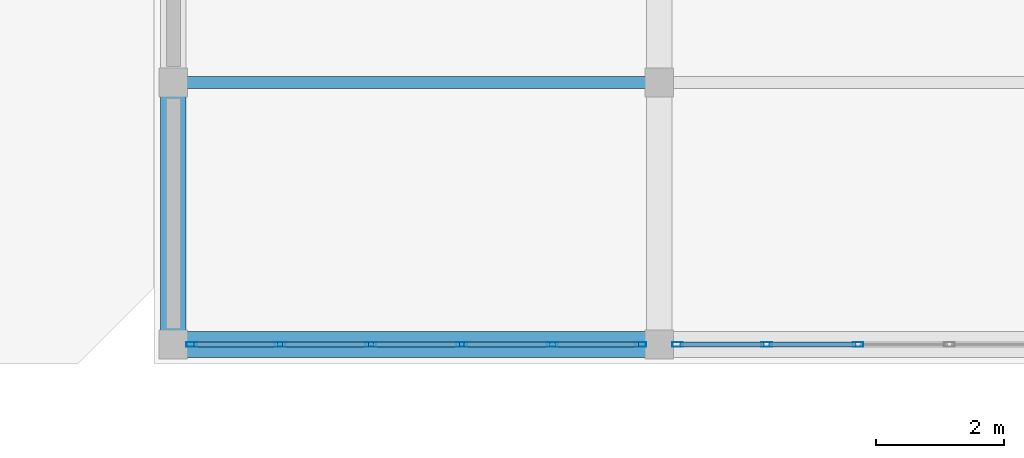
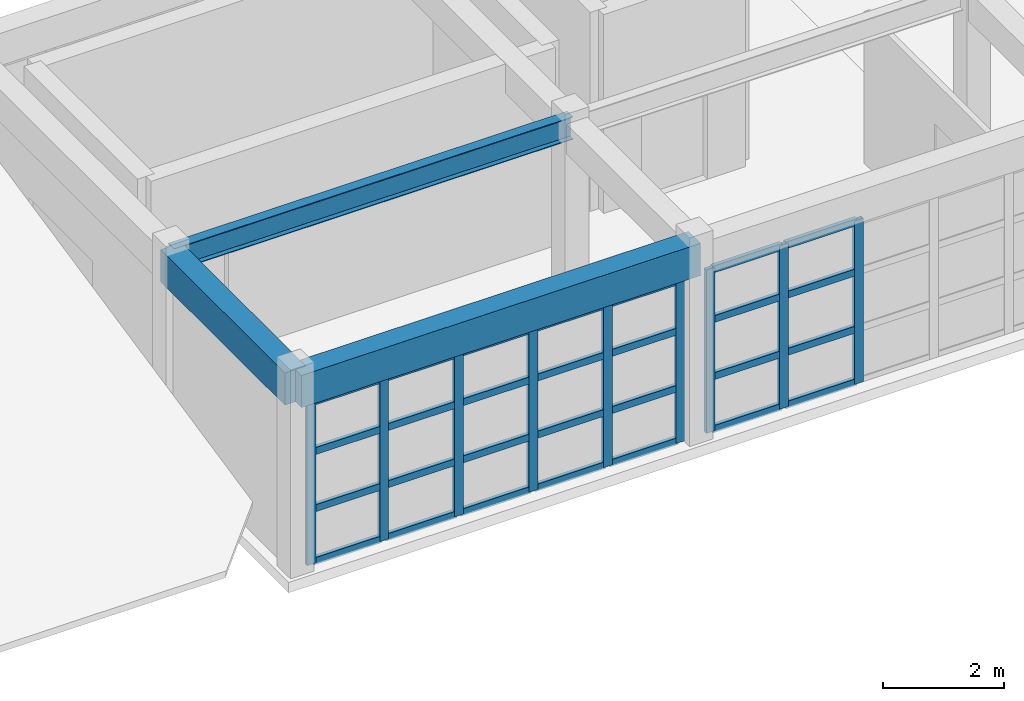
# One storey, part 7 of 52: 37 members, 3 beams, 2 elements without a shape of their own.
"""IFC4 building model written with IfcOpenShell, lengths in metres."""

from ifc_helpers import new_model, si_unit, direction, frame, origin, origin_2d, place, context, subcontext, project, spatial, rectangle, hollow_rectangle, i_section, extrude, material, layer, layer_set, material_profile, profile_set, type_object, element, aggregate, save


model = new_model("IFC4")

# Units and contexts
model_context = context("Model", 3, precision=1e-05, world=origin(), true_north=direction((0.0, 1.0)))
body_context = subcontext(model_context, "Body", "Model", "MODEL_VIEW")
ifc_project = project(units=[si_unit("LENGTHUNIT", "METRE"), si_unit("AREAUNIT", "SQUARE_METRE"), si_unit("VOLUMEUNIT", "CUBIC_METRE"), si_unit("PLANEANGLEUNIT", "RADIAN"), si_unit("MASSUNIT", "GRAM", prefix="KILO")], contexts=[model_context])

# Site, building, storey
site_placement = place(None, origin())
site = spatial("IfcSite", under=ifc_project, at=site_placement, CompositionType="ELEMENT")
building_placement = place(site_placement, origin())
building = spatial("IfcBuilding", under=site, at=building_placement, Name="Candilejo Ridge Gondola Terminal", CompositionType="ELEMENT")
storey_placement = place(building_placement, frame((0.0, 0.0, 18.60009765625)))
storey = spatial("IfcBuildingStorey", under=building, at=storey_placement, Name="L04", CompositionType="ELEMENT", Elevation=18.60009765625)

# Curtain wall, members
ifc_material_1 = material(Name="Anodised aluminium AA 6063-T6", Category="aluminium")
ifc_layer_1 = layer(ifc_material_1, 0.169921875)
ifc_layer_set_1 = layer_set([ifc_layer_1], Name="ARC-CW-GALLERY-3200-710X329")
curtain_wall_type_1 = type_object("IfcCurtainWallType", Name="ARC-CW-GALLERY-3200-710X329", PredefinedType="NOTDEFINED", material=ifc_layer_set_1)
curtain_wall_1_placement = place(storey_placement, origin())
curtain_wall_1 = element("IfcCurtainWall", 1, at=curtain_wall_1_placement, inside=storey, type_object=curtain_wall_type_1, Name="Curtain wall V3 L04-101", PredefinedType="NOTDEFINED")
ifc_material_2 = material(Name="Anodised aluminium AA 6063-T6", Category="aluminium")
ifc_material_profile_1 = material_profile(ifc_material_2, hollow_rectangle(XDim=0.074951171875, YDim=0.169921875, WallThickness=0.00390625, at=origin_2d()))
ifc_profile_set_1 = profile_set([ifc_material_profile_1], Name="Anodised aluminium AA 6063-T6")
member_type_1 = type_object("IfcMemberType", Name="ARC-CW-MULLION", PredefinedType="MULLION", material=ifc_profile_set_1)
member_1_placement = place(storey_placement, frame((94.887451171875, 25.699951171875, 0.0), z_axis=(0.0, 0.0, 1.0), x_axis=(0.0, 1.0, 0.0)))
member_1 = element("IfcMember", 2, at=member_1_placement, type_object=member_type_1, Name="CW-71X32 mullion 1", PredefinedType="MULLION", context=body_context, shape_type="SweptSolid", body=[
    extrude(hollow_rectangle(XDim=0.074951171875, YDim=0.169921875, WallThickness=0.00390625, at=origin_2d()), origin(), (0.0, 0.0, 1.0), 3.289794921875),
])
member_2_placement = place(storey_placement, frame((96.27001953125, 25.699951171875, 0.0), z_axis=(0.0, 0.0, 1.0), x_axis=(0.0, 1.0, 0.0)))
member_2 = element("IfcMember", 3, at=member_2_placement, type_object=member_type_1, Name="CW-71X32 mullion 2", PredefinedType="MULLION", context=body_context, shape_type="SweptSolid", body=[
    extrude(hollow_rectangle(XDim=0.074951171875, YDim=0.169921875, WallThickness=0.00390625, at=origin_2d()), origin(), (0.0, 0.0, 1.0), 3.289794921875),
])
member_3_placement = place(storey_placement, frame((97.68994140625, 25.699951171875, 0.0), z_axis=(0.0, 0.0, 1.0), x_axis=(0.0, 1.0, 0.0)))
member_3 = element("IfcMember", 4, at=member_3_placement, type_object=member_type_1, Name="CW-71X32 mullion 3", PredefinedType="MULLION", context=body_context, shape_type="SweptSolid", body=[
    extrude(hollow_rectangle(XDim=0.074951171875, YDim=0.169921875, WallThickness=0.00390625, at=origin_2d()), origin(), (0.0, 0.0, 1.0), 3.289794921875),
])
member_4_placement = place(storey_placement, frame((99.110107421875, 25.699951171875, 0.0), z_axis=(0.0, 0.0, 1.0), x_axis=(0.0, 1.0, 0.0)))
member_4 = element("IfcMember", 5, at=member_4_placement, type_object=member_type_1, Name="CW-71X32 mullion 4", PredefinedType="MULLION", context=body_context, shape_type="SweptSolid", body=[
    extrude(hollow_rectangle(XDim=0.074951171875, YDim=0.169921875, WallThickness=0.00390625, at=origin_2d()), origin(), (0.0, 0.0, 1.0), 3.289794921875),
])
member_5_placement = place(storey_placement, frame((100.530029296875, 25.699951171875, 0.0), z_axis=(0.0, 0.0, 1.0), x_axis=(0.0, 1.0, 0.0)))
member_5 = element("IfcMember", 6, at=member_5_placement, type_object=member_type_1, Name="CW-71X32 mullion 5", PredefinedType="MULLION", context=body_context, shape_type="SweptSolid", body=[
    extrude(hollow_rectangle(XDim=0.074951171875, YDim=0.169921875, WallThickness=0.00390625, at=origin_2d()), origin(), (0.0, 0.0, 1.0), 3.289794921875),
])
member_6_placement = place(storey_placement, frame((101.91259765625, 25.699951171875, 0.0), z_axis=(0.0, 0.0, 1.0), x_axis=(0.0, 1.0, 0.0)))
member_6 = element("IfcMember", 7, at=member_6_placement, type_object=member_type_1, Name="CW-71X32 mullion 6", PredefinedType="MULLION", context=body_context, shape_type="SweptSolid", body=[
    extrude(hollow_rectangle(XDim=0.074951171875, YDim=0.169921875, WallThickness=0.00390625, at=origin_2d()), origin(), (0.0, 0.0, 1.0), 3.289794921875),
])

ifc_material_3 = material(Name="Anodised aluminium AA 6063-T6", Category="aluminium")
ifc_layer_2 = layer(ifc_material_3, 0.169921875)
ifc_layer_set_2 = layer_set([ifc_layer_2], Name="ARC-CW-GALLERY-3200-715X329")
curtain_wall_type_2 = type_object("IfcCurtainWallType", Name="ARC-CW-GALLERY-3200-715X329", PredefinedType="NOTDEFINED", material=ifc_layer_set_2)
curtain_wall_2_placement = place(storey_placement, origin())
curtain_wall_2 = element("IfcCurtainWall", 8, at=curtain_wall_2_placement, inside=storey, type_object=curtain_wall_type_2, Name="Curtain wall V3 L04-103", PredefinedType="NOTDEFINED")
member_7_placement = place(storey_placement, frame((102.487548828125, 25.699951171875, 0.0), z_axis=(0.0, 0.0, 1.0), x_axis=(0.0, 1.0, 0.0)))
member_7 = element("IfcMember", 9, at=member_7_placement, type_object=member_type_1, Name="CW-71X32 mullion 1", PredefinedType="MULLION", context=body_context, shape_type="SweptSolid", body=[
    extrude(hollow_rectangle(XDim=0.074951171875, YDim=0.169921875, WallThickness=0.00390625, at=origin_2d()), origin(), (0.0, 0.0, 1.0), 3.289794921875),
])
member_8_placement = place(storey_placement, frame((103.8798828125, 25.699951171875, 0.0), z_axis=(0.0, 0.0, 1.0), x_axis=(0.0, 1.0, 0.0)))
member_8 = element("IfcMember", 10, at=member_8_placement, type_object=member_type_1, Name="CW-71X32 mullion 2", PredefinedType="MULLION", context=body_context, shape_type="SweptSolid", body=[
    extrude(hollow_rectangle(XDim=0.074951171875, YDim=0.169921875, WallThickness=0.00390625, at=origin_2d()), origin(), (0.0, 0.0, 1.0), 3.289794921875),
])
member_9_placement = place(storey_placement, frame((105.31005859375, 25.699951171875, 0.0), z_axis=(0.0, 0.0, 1.0), x_axis=(0.0, 1.0, 0.0)))
member_9 = element("IfcMember", 11, at=member_9_placement, type_object=member_type_1, Name="CW-71X32 mullion 3", PredefinedType="MULLION", context=body_context, shape_type="SweptSolid", body=[
    extrude(hollow_rectangle(XDim=0.074951171875, YDim=0.169921875, WallThickness=0.00390625, at=origin_2d()), origin(), (0.0, 0.0, 1.0), 3.289794921875),
])

# Member
ifc_material_4 = material(Name="Anodised aluminium AA 6063-T6", Category="aluminium")
ifc_material_profile_2 = material_profile(ifc_material_4, hollow_rectangle(XDim=0.074951171875, YDim=0.139892578125, WallThickness=0.00390625, at=origin_2d()))
ifc_profile_set_2 = profile_set([ifc_material_profile_2], Name="Anodised aluminium AA 6063-T6")
member_type_2 = type_object("IfcMemberType", Name="ARC-CW-TRANSOM", PredefinedType="USERDEFINED", material=ifc_profile_set_2)
member_10_placement = place(storey_placement, frame((94.925048828125, 25.699951171875, 0.037353515625), z_axis=(1.0, 0.0, 0.0), x_axis=(0.0, 1.0, 0.0)))
member_10 = element("IfcMember", 12, at=member_10_placement, type_object=member_type_2, Name="CW-71X32 transom 1.1", ObjectType="TRANSOM", PredefinedType="USERDEFINED", context=body_context, shape_type="SweptSolid", body=[
    extrude(hollow_rectangle(XDim=0.074951171875, YDim=0.139892578125, WallThickness=0.00390625, at=origin_2d()), origin(), (0.0, 0.0, 1.0), 1.307373046875),
])

member_11_placement = place(storey_placement, frame((94.925048828125, 25.699951171875, 1.099853515625), z_axis=(1.0, 0.0, 0.0), x_axis=(0.0, 1.0, 0.0)))
member_11 = element("IfcMember", 13, at=member_11_placement, type_object=member_type_2, Name="CW-71X32 transom 1.2", ObjectType="TRANSOM", PredefinedType="USERDEFINED", context=body_context, shape_type="SweptSolid", body=[
    extrude(hollow_rectangle(XDim=0.074951171875, YDim=0.139892578125, WallThickness=0.00390625, at=origin_2d()), origin(), (0.0, 0.0, 1.0), 1.307373046875),
])

member_12_placement = place(storey_placement, frame((94.925048828125, 25.699951171875, 2.25), z_axis=(1.0, 0.0, 0.0), x_axis=(0.0, 1.0, 0.0)))
member_12 = element("IfcMember", 14, at=member_12_placement, type_object=member_type_2, Name="CW-71X32 transom 1.3", ObjectType="TRANSOM", PredefinedType="USERDEFINED", context=body_context, shape_type="SweptSolid", body=[
    extrude(hollow_rectangle(XDim=0.074951171875, YDim=0.139892578125, WallThickness=0.00390625, at=origin_2d()), origin(), (0.0, 0.0, 1.0), 1.307373046875),
])

member_13_placement = place(storey_placement, frame((94.925048828125, 25.699951171875, 3.25244140625), z_axis=(1.0, 0.0, 0.0), x_axis=(0.0, 1.0, 0.0)))
member_13 = element("IfcMember", 15, at=member_13_placement, type_object=member_type_2, Name="CW-71X32 transom 1.4", ObjectType="TRANSOM", PredefinedType="USERDEFINED", context=body_context, shape_type="SweptSolid", body=[
    extrude(hollow_rectangle(XDim=0.074951171875, YDim=0.139892578125, WallThickness=0.00390625, at=origin_2d()), origin(), (0.0, 0.0, 1.0), 1.307373046875),
])

member_14_placement = place(storey_placement, frame((96.3076171875, 25.699951171875, 0.037353515625), z_axis=(1.0, 0.0, 0.0), x_axis=(0.0, 1.0, 0.0)))
member_14 = element("IfcMember", 16, at=member_14_placement, type_object=member_type_2, Name="CW-71X32 transom 2.1", ObjectType="TRANSOM", PredefinedType="USERDEFINED", context=body_context, shape_type="SweptSolid", body=[
    extrude(hollow_rectangle(XDim=0.074951171875, YDim=0.139892578125, WallThickness=0.00390625, at=origin_2d()), origin(), (0.0, 0.0, 1.0), 1.344970703125),
])

member_15_placement = place(storey_placement, frame((96.3076171875, 25.699951171875, 1.099853515625), z_axis=(1.0, 0.0, 0.0), x_axis=(0.0, 1.0, 0.0)))
member_15 = element("IfcMember", 17, at=member_15_placement, type_object=member_type_2, Name="CW-71X32 transom 2.2", ObjectType="TRANSOM", PredefinedType="USERDEFINED", context=body_context, shape_type="SweptSolid", body=[
    extrude(hollow_rectangle(XDim=0.074951171875, YDim=0.139892578125, WallThickness=0.00390625, at=origin_2d()), origin(), (0.0, 0.0, 1.0), 1.344970703125),
])

member_16_placement = place(storey_placement, frame((96.3076171875, 25.699951171875, 2.25), z_axis=(1.0, 0.0, 0.0), x_axis=(0.0, 1.0, 0.0)))
member_16 = element("IfcMember", 18, at=member_16_placement, type_object=member_type_2, Name="CW-71X32 transom 2.3", ObjectType="TRANSOM", PredefinedType="USERDEFINED", context=body_context, shape_type="SweptSolid", body=[
    extrude(hollow_rectangle(XDim=0.074951171875, YDim=0.139892578125, WallThickness=0.00390625, at=origin_2d()), origin(), (0.0, 0.0, 1.0), 1.344970703125),
])

member_17_placement = place(storey_placement, frame((96.3076171875, 25.699951171875, 3.25244140625), z_axis=(1.0, 0.0, 0.0), x_axis=(0.0, 1.0, 0.0)))
member_17 = element("IfcMember", 19, at=member_17_placement, type_object=member_type_2, Name="CW-71X32 transom 2.4", ObjectType="TRANSOM", PredefinedType="USERDEFINED", context=body_context, shape_type="SweptSolid", body=[
    extrude(hollow_rectangle(XDim=0.074951171875, YDim=0.139892578125, WallThickness=0.00390625, at=origin_2d()), origin(), (0.0, 0.0, 1.0), 1.344970703125),
])

member_18_placement = place(storey_placement, frame((97.7275390625, 25.699951171875, 0.037353515625), z_axis=(1.0, 0.0, 0.0), x_axis=(0.0, 1.0, 0.0)))
member_18 = element("IfcMember", 20, at=member_18_placement, type_object=member_type_2, Name="CW-71X32 transom 3.1", ObjectType="TRANSOM", PredefinedType="USERDEFINED", context=body_context, shape_type="SweptSolid", body=[
    extrude(hollow_rectangle(XDim=0.074951171875, YDim=0.139892578125, WallThickness=0.00390625, at=origin_2d()), origin(), (0.0, 0.0, 1.0), 1.344970703125),
])

member_19_placement = place(storey_placement, frame((97.7275390625, 25.699951171875, 1.099853515625), z_axis=(1.0, 0.0, 0.0), x_axis=(0.0, 1.0, 0.0)))
member_19 = element("IfcMember", 21, at=member_19_placement, type_object=member_type_2, Name="CW-71X32 transom 3.2", ObjectType="TRANSOM", PredefinedType="USERDEFINED", context=body_context, shape_type="SweptSolid", body=[
    extrude(hollow_rectangle(XDim=0.074951171875, YDim=0.139892578125, WallThickness=0.00390625, at=origin_2d()), origin(), (0.0, 0.0, 1.0), 1.344970703125),
])

member_20_placement = place(storey_placement, frame((97.7275390625, 25.699951171875, 2.25), z_axis=(1.0, 0.0, 0.0), x_axis=(0.0, 1.0, 0.0)))
member_20 = element("IfcMember", 22, at=member_20_placement, type_object=member_type_2, Name="CW-71X32 transom 3.3", ObjectType="TRANSOM", PredefinedType="USERDEFINED", context=body_context, shape_type="SweptSolid", body=[
    extrude(hollow_rectangle(XDim=0.074951171875, YDim=0.139892578125, WallThickness=0.00390625, at=origin_2d()), origin(), (0.0, 0.0, 1.0), 1.344970703125),
])

member_21_placement = place(storey_placement, frame((97.7275390625, 25.699951171875, 3.25244140625), z_axis=(1.0, 0.0, 0.0), x_axis=(0.0, 1.0, 0.0)))
member_21 = element("IfcMember", 23, at=member_21_placement, type_object=member_type_2, Name="CW-71X32 transom 3.4", ObjectType="TRANSOM", PredefinedType="USERDEFINED", context=body_context, shape_type="SweptSolid", body=[
    extrude(hollow_rectangle(XDim=0.074951171875, YDim=0.139892578125, WallThickness=0.00390625, at=origin_2d()), origin(), (0.0, 0.0, 1.0), 1.344970703125),
])

member_22_placement = place(storey_placement, frame((99.1474609375, 25.699951171875, 0.037353515625), z_axis=(1.0, 0.0, 0.0), x_axis=(0.0, 1.0, 0.0)))
member_22 = element("IfcMember", 24, at=member_22_placement, type_object=member_type_2, Name="CW-71X32 transom 4.1", ObjectType="TRANSOM", PredefinedType="USERDEFINED", context=body_context, shape_type="SweptSolid", body=[
    extrude(hollow_rectangle(XDim=0.074951171875, YDim=0.139892578125, WallThickness=0.00390625, at=origin_2d()), origin(), (0.0, 0.0, 1.0), 1.344970703125),
])

member_23_placement = place(storey_placement, frame((99.1474609375, 25.699951171875, 1.099853515625), z_axis=(1.0, 0.0, 0.0), x_axis=(0.0, 1.0, 0.0)))
member_23 = element("IfcMember", 25, at=member_23_placement, type_object=member_type_2, Name="CW-71X32 transom 4.2", ObjectType="TRANSOM", PredefinedType="USERDEFINED", context=body_context, shape_type="SweptSolid", body=[
    extrude(hollow_rectangle(XDim=0.074951171875, YDim=0.139892578125, WallThickness=0.00390625, at=origin_2d()), origin(), (0.0, 0.0, 1.0), 1.344970703125),
])

member_24_placement = place(storey_placement, frame((99.1474609375, 25.699951171875, 2.25), z_axis=(1.0, 0.0, 0.0), x_axis=(0.0, 1.0, 0.0)))
member_24 = element("IfcMember", 26, at=member_24_placement, type_object=member_type_2, Name="CW-71X32 transom 4.3", ObjectType="TRANSOM", PredefinedType="USERDEFINED", context=body_context, shape_type="SweptSolid", body=[
    extrude(hollow_rectangle(XDim=0.074951171875, YDim=0.139892578125, WallThickness=0.00390625, at=origin_2d()), origin(), (0.0, 0.0, 1.0), 1.344970703125),
])

member_25_placement = place(storey_placement, frame((99.1474609375, 25.699951171875, 3.25244140625), z_axis=(1.0, 0.0, 0.0), x_axis=(0.0, 1.0, 0.0)))
member_25 = element("IfcMember", 27, at=member_25_placement, type_object=member_type_2, Name="CW-71X32 transom 4.4", ObjectType="TRANSOM", PredefinedType="USERDEFINED", context=body_context, shape_type="SweptSolid", body=[
    extrude(hollow_rectangle(XDim=0.074951171875, YDim=0.139892578125, WallThickness=0.00390625, at=origin_2d()), origin(), (0.0, 0.0, 1.0), 1.344970703125),
])

member_26_placement = place(storey_placement, frame((100.5673828125, 25.699951171875, 0.037353515625), z_axis=(1.0, 0.0, 0.0), x_axis=(0.0, 1.0, 0.0)))
member_26 = element("IfcMember", 28, at=member_26_placement, type_object=member_type_2, Name="CW-71X32 transom 5.1", ObjectType="TRANSOM", PredefinedType="USERDEFINED", context=body_context, shape_type="SweptSolid", body=[
    extrude(hollow_rectangle(XDim=0.074951171875, YDim=0.139892578125, WallThickness=0.00390625, at=origin_2d()), origin(), (0.0, 0.0, 1.0), 1.3076171875),
])

member_27_placement = place(storey_placement, frame((100.5673828125, 25.699951171875, 1.099853515625), z_axis=(1.0, 0.0, 0.0), x_axis=(0.0, 1.0, 0.0)))
member_27 = element("IfcMember", 29, at=member_27_placement, type_object=member_type_2, Name="CW-71X32 transom 5.2", ObjectType="TRANSOM", PredefinedType="USERDEFINED", context=body_context, shape_type="SweptSolid", body=[
    extrude(hollow_rectangle(XDim=0.074951171875, YDim=0.139892578125, WallThickness=0.00390625, at=origin_2d()), origin(), (0.0, 0.0, 1.0), 1.3076171875),
])

member_28_placement = place(storey_placement, frame((100.5673828125, 25.699951171875, 2.25), z_axis=(1.0, 0.0, 0.0), x_axis=(0.0, 1.0, 0.0)))
member_28 = element("IfcMember", 30, at=member_28_placement, type_object=member_type_2, Name="CW-71X32 transom 5.3", ObjectType="TRANSOM", PredefinedType="USERDEFINED", context=body_context, shape_type="SweptSolid", body=[
    extrude(hollow_rectangle(XDim=0.074951171875, YDim=0.139892578125, WallThickness=0.00390625, at=origin_2d()), origin(), (0.0, 0.0, 1.0), 1.3076171875),
])

member_29_placement = place(storey_placement, frame((100.5673828125, 25.699951171875, 3.25244140625), z_axis=(1.0, 0.0, 0.0), x_axis=(0.0, 1.0, 0.0)))
member_29 = element("IfcMember", 31, at=member_29_placement, type_object=member_type_2, Name="CW-71X32 transom 5.4", ObjectType="TRANSOM", PredefinedType="USERDEFINED", context=body_context, shape_type="SweptSolid", body=[
    extrude(hollow_rectangle(XDim=0.074951171875, YDim=0.139892578125, WallThickness=0.00390625, at=origin_2d()), origin(), (0.0, 0.0, 1.0), 1.3076171875),
])

aggregate(curtain_wall_1, [member_1, member_2, member_3, member_4, member_5, member_6, member_10, member_11, member_12, member_13, member_14, member_15, member_16, member_17, member_18, member_19, member_20, member_21, member_22, member_23, member_24, member_25, member_26, member_27, member_28, member_29])

member_30_placement = place(storey_placement, frame((102.52490234375, 25.699951171875, 0.037353515625), z_axis=(1.0, 0.0, 0.0), x_axis=(0.0, 1.0, 0.0)))
member_30 = element("IfcMember", 32, at=member_30_placement, type_object=member_type_2, Name="CW-71X32 transom 1.1", ObjectType="TRANSOM", PredefinedType="USERDEFINED", context=body_context, shape_type="SweptSolid", body=[
    extrude(hollow_rectangle(XDim=0.074951171875, YDim=0.139892578125, WallThickness=0.00390625, at=origin_2d()), origin(), (0.0, 0.0, 1.0), 1.317626953125),
])

member_31_placement = place(storey_placement, frame((102.52490234375, 25.699951171875, 1.099853515625), z_axis=(1.0, 0.0, 0.0), x_axis=(0.0, 1.0, 0.0)))
member_31 = element("IfcMember", 33, at=member_31_placement, type_object=member_type_2, Name="CW-71X32 transom 1.2", ObjectType="TRANSOM", PredefinedType="USERDEFINED", context=body_context, shape_type="SweptSolid", body=[
    extrude(hollow_rectangle(XDim=0.074951171875, YDim=0.139892578125, WallThickness=0.00390625, at=origin_2d()), origin(), (0.0, 0.0, 1.0), 1.317626953125),
])

member_32_placement = place(storey_placement, frame((102.52490234375, 25.699951171875, 2.25), z_axis=(1.0, 0.0, 0.0), x_axis=(0.0, 1.0, 0.0)))
member_32 = element("IfcMember", 34, at=member_32_placement, type_object=member_type_2, Name="CW-71X32 transom 1.3", ObjectType="TRANSOM", PredefinedType="USERDEFINED", context=body_context, shape_type="SweptSolid", body=[
    extrude(hollow_rectangle(XDim=0.074951171875, YDim=0.139892578125, WallThickness=0.00390625, at=origin_2d()), origin(), (0.0, 0.0, 1.0), 1.317626953125),
])

member_33_placement = place(storey_placement, frame((102.52490234375, 25.699951171875, 3.25244140625), z_axis=(1.0, 0.0, 0.0), x_axis=(0.0, 1.0, 0.0)))
member_33 = element("IfcMember", 35, at=member_33_placement, type_object=member_type_2, Name="CW-71X32 transom 1.4", ObjectType="TRANSOM", PredefinedType="USERDEFINED", context=body_context, shape_type="SweptSolid", body=[
    extrude(hollow_rectangle(XDim=0.074951171875, YDim=0.139892578125, WallThickness=0.00390625, at=origin_2d()), origin(), (0.0, 0.0, 1.0), 1.317626953125),
])

member_34_placement = place(storey_placement, frame((103.91748046875, 25.699951171875, 0.037353515625), z_axis=(1.0, 0.0, 0.0), x_axis=(0.0, 1.0, 0.0)))
member_34 = element("IfcMember", 36, at=member_34_placement, type_object=member_type_2, Name="CW-71X32 transom 2.1", ObjectType="TRANSOM", PredefinedType="USERDEFINED", context=body_context, shape_type="SweptSolid", body=[
    extrude(hollow_rectangle(XDim=0.074951171875, YDim=0.139892578125, WallThickness=0.00390625, at=origin_2d()), origin(), (0.0, 0.0, 1.0), 1.35498046875),
])

member_35_placement = place(storey_placement, frame((103.91748046875, 25.699951171875, 1.099853515625), z_axis=(1.0, 0.0, 0.0), x_axis=(0.0, 1.0, 0.0)))
member_35 = element("IfcMember", 37, at=member_35_placement, type_object=member_type_2, Name="CW-71X32 transom 2.2", ObjectType="TRANSOM", PredefinedType="USERDEFINED", context=body_context, shape_type="SweptSolid", body=[
    extrude(hollow_rectangle(XDim=0.074951171875, YDim=0.139892578125, WallThickness=0.00390625, at=origin_2d()), origin(), (0.0, 0.0, 1.0), 1.35498046875),
])

member_36_placement = place(storey_placement, frame((103.91748046875, 25.699951171875, 2.25), z_axis=(1.0, 0.0, 0.0), x_axis=(0.0, 1.0, 0.0)))
member_36 = element("IfcMember", 38, at=member_36_placement, type_object=member_type_2, Name="CW-71X32 transom 2.3", ObjectType="TRANSOM", PredefinedType="USERDEFINED", context=body_context, shape_type="SweptSolid", body=[
    extrude(hollow_rectangle(XDim=0.074951171875, YDim=0.139892578125, WallThickness=0.00390625, at=origin_2d()), origin(), (0.0, 0.0, 1.0), 1.35498046875),
])

member_37_placement = place(storey_placement, frame((103.91748046875, 25.699951171875, 3.25244140625), z_axis=(1.0, 0.0, 0.0), x_axis=(0.0, 1.0, 0.0)))
member_37 = element("IfcMember", 39, at=member_37_placement, type_object=member_type_2, Name="CW-71X32 transom 2.4", ObjectType="TRANSOM", PredefinedType="USERDEFINED", context=body_context, shape_type="SweptSolid", body=[
    extrude(hollow_rectangle(XDim=0.074951171875, YDim=0.139892578125, WallThickness=0.00390625, at=origin_2d()), origin(), (0.0, 0.0, 1.0), 1.35498046875),
])

aggregate(curtain_wall_2, [member_7, member_8, member_9, member_30, member_31, member_32, member_33, member_34, member_35, member_36, member_37])

# Beams
ifc_material_5 = material(Name="Steel ASTM A992 Grade 50", Category="steel")
ifc_material_profile_3 = material_profile(ifc_material_5, i_section(OverallWidth=0.18994140625, OverallDepth=0.45703125, WebThickness=0.009033203125, FlangeThickness=0.014404296875, at=origin_2d()))
ifc_profile_set_3 = profile_set([ifc_material_profile_3], Name="Steel ASTM A992 Grade 50")
beam_type_1 = type_object("IfcBeamType", Name="STR-BM-W460X74", PredefinedType="BEAM", material=ifc_profile_set_3)
beam_1_placement = place(storey_placement, frame((94.60009765625, 29.800048828125, 3.771484375), z_axis=(1.0, 0.0, 0.0), x_axis=(0.0, 1.0, 0.0)))
element("IfcBeam", 40, at=beam_1_placement, inside=storey, type_object=beam_type_1, Name="Beam X V3 L04 X15-X16@Y06", PredefinedType="BEAM", context=body_context, shape_type="SweptSolid", body=[
    extrude(i_section(OverallWidth=0.18994140625, OverallDepth=0.45703125, WebThickness=0.009033203125, FlangeThickness=0.014404296875, at=origin_2d()), origin(), (0.0, 0.0, 1.0), 7.599853515625),
])
ifc_material_6 = material(Name="Concrete f'c 35 MPa (C35/45)", Category="concrete")
ifc_material_profile_4 = material_profile(ifc_material_6, rectangle(XDim=0.39990234375, YDim=0.64990234375, at=origin_2d()))
ifc_profile_set_4 = profile_set([ifc_material_profile_4], Name="Concrete f'c 35 MPa (C35/45)")
beam_type_2 = type_object("IfcBeamType", Name="STR-SPN-RC400X650", PredefinedType="SPANDREL", material=ifc_profile_set_4)
beam_2_placement = place(storey_placement, frame((94.60009765625, 25.699951171875, 3.6748046875), z_axis=(1.0, 0.0, 0.0), x_axis=(0.0, 1.0, 0.0)))
element("IfcBeam", 41, at=beam_2_placement, inside=storey, type_object=beam_type_2, Name="Beam X V3 L04 X15-X16@Y05", PredefinedType="SPANDREL", context=body_context, shape_type="SweptSolid", body=[
    extrude(rectangle(XDim=0.39990234375, YDim=0.64990234375, at=origin_2d()), origin(), (0.0, 0.0, 1.0), 7.599853515625),
])
beam_3_placement = place(storey_placement, frame((94.60009765625, 25.699951171875, 3.6748046875), z_axis=(0.0, 1.0, 0.0), x_axis=(-1.0, 0.0, 0.0)))
element("IfcBeam", 42, at=beam_3_placement, inside=storey, type_object=beam_type_2, Name="Beam Y V3 L04 Y05-Y06@X15", PredefinedType="SPANDREL", context=body_context, shape_type="SweptSolid", body=[
    extrude(rectangle(XDim=0.39990234375, YDim=0.64990234375, at=origin_2d()), origin(), (0.0, 0.0, 1.0), 4.10009765625),
])

save(model, "model.ifc")
